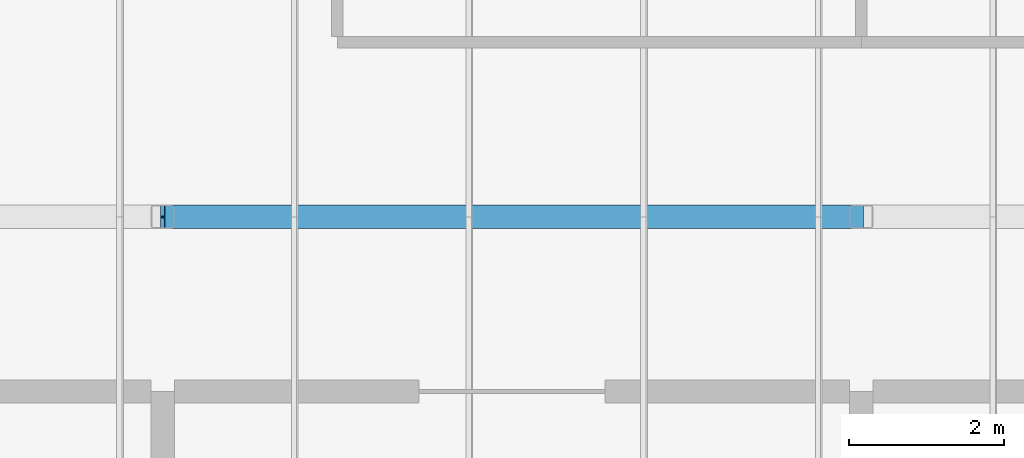
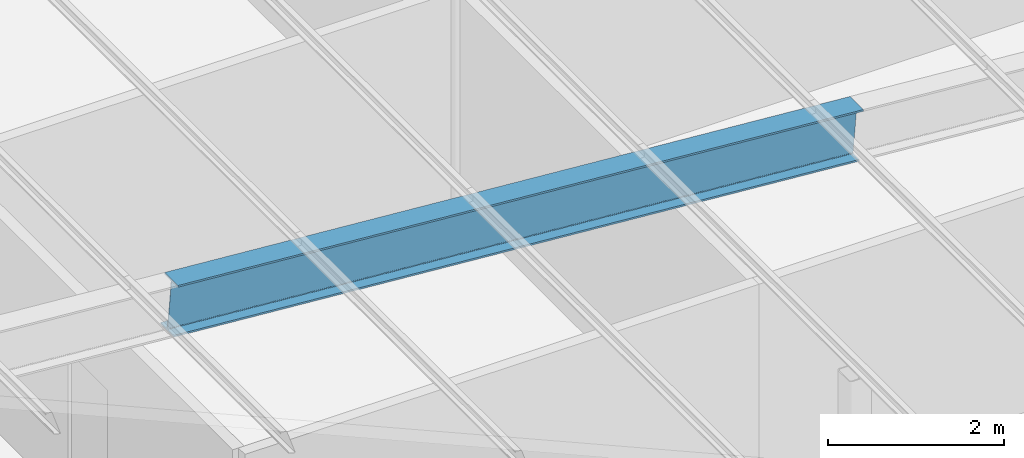
# One storey, part 26 of 85: 1 member.
"""IFC4 building model written with IfcOpenShell, lengths in metres."""

from ifc_helpers import new_model, si_unit, direction, frame, origin, origin_2d, place, context, subcontext, project, spatial, i_section, extrude, material, material_profile, profile_set, type_object, element, save


model = new_model("IFC4")

# Units and contexts
model_context = context("Model", 3, precision=1e-05, world=origin(), true_north=direction((0.0, 1.0)))
body_context = subcontext(model_context, "Body", "Model", "MODEL_VIEW")
ifc_project = project(units=[si_unit("LENGTHUNIT", "METRE"), si_unit("AREAUNIT", "SQUARE_METRE"), si_unit("VOLUMEUNIT", "CUBIC_METRE"), si_unit("PLANEANGLEUNIT", "RADIAN"), si_unit("MASSUNIT", "GRAM", prefix="KILO")], contexts=[model_context])

# Site, building, storey
site_placement = place(None, origin())
site = spatial("IfcSite", under=ifc_project, at=site_placement, CompositionType="ELEMENT")
building_placement = place(site_placement, origin())
building = spatial("IfcBuilding", under=site, at=building_placement, Name="Opaline Strait Convention Centre", CompositionType="ELEMENT")
storey_placement = place(building_placement, frame((0.0, 0.0, 17.0)))
storey = spatial("IfcBuildingStorey", under=building, at=storey_placement, Name="L03", CompositionType="ELEMENT", Elevation=17.0)

# Member
ifc_material = material(Name="Steel Q355B", Category="steel")
ifc_material_profile = material_profile(ifc_material, i_section(OverallWidth=0.300048828125, OverallDepth=0.699951171875, WebThickness=0.012939453125, FlangeThickness=0.02392578125, FilletRadius=0.01806640625, at=origin_2d()), Name="HN 700x300x13x24")
ifc_profile_set = profile_set([ifc_material_profile], Name="Steel Q355B")
member_type = type_object("IfcMemberType", Name="Roof rafter HN 700x300x13x24", PredefinedType="RAFTER", material=ifc_profile_set)
member_placement = place(storey_placement, frame((288.0, 99.0, 7.184326171875), z_axis=(0.996917883079, 0.0, -0.078452115311), x_axis=(0.0, 1.0, 0.0)))
element("IfcMember", 1, at=member_placement, inside=storey, type_object=member_type, Name="MRR1 rafter y 99", PredefinedType="RAFTER", context=body_context, shape_type="SweptSolid", body=[
    extrude(i_section(OverallWidth=0.300048828125, OverallDepth=0.699951171875, WebThickness=0.012939453125, FlangeThickness=0.02392578125, FilletRadius=0.01806640625, at=origin_2d()), origin(), (0.0, 0.0, 1.0), 9.02783203125),
])

save(model, "model.ifc")
